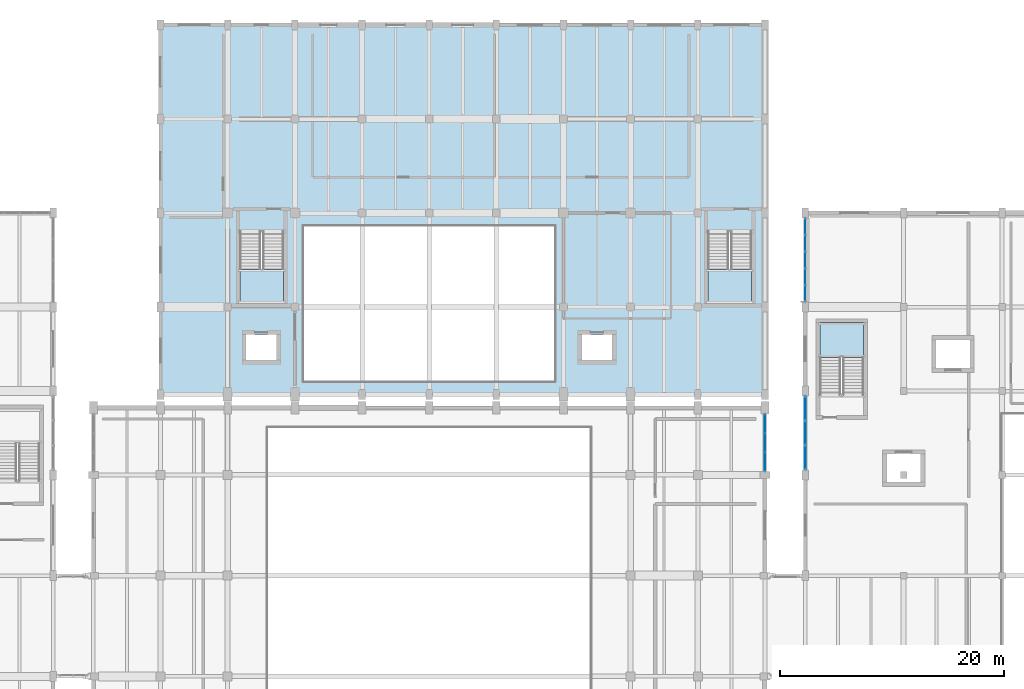
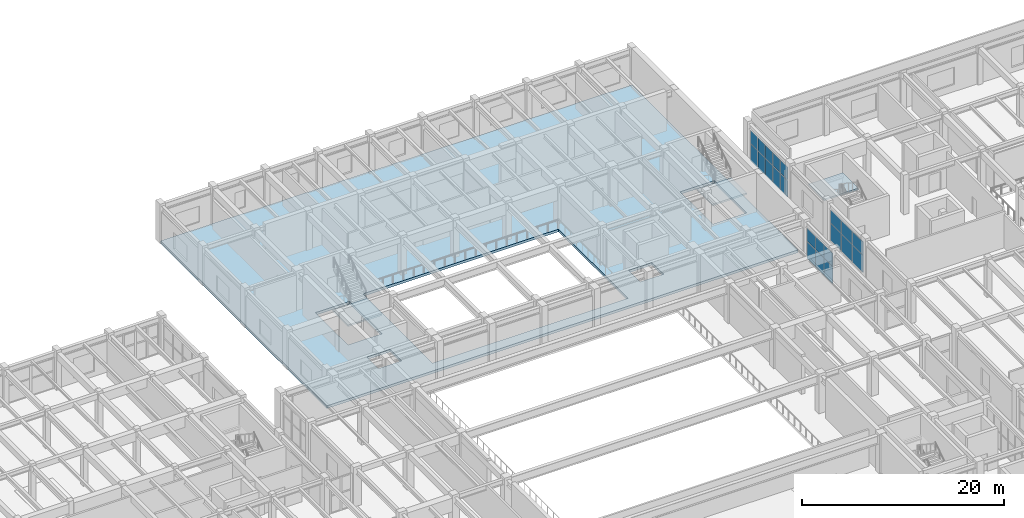
# One storey, part 65 of 96: 22 plates, 4 slabs, 6 elements without a shape of their own.
"""IFC4 building model written with IfcOpenShell, lengths in metres."""

from ifc_helpers import new_model, si_unit, direction, frame, origin, origin_2d, place, context, subcontext, project, spatial, polyline, rectangle, outline, extrude, material, layer, layer_set, type_object, element, aggregate, save


model = new_model("IFC4")

# Units and contexts
model_context = context("Model", 3, precision=1e-05, world=origin(), true_north=direction((0.0, 1.0)))
body_context = subcontext(model_context, "Body", "Model", "MODEL_VIEW")
ifc_project = project(units=[si_unit("LENGTHUNIT", "METRE"), si_unit("AREAUNIT", "SQUARE_METRE"), si_unit("VOLUMEUNIT", "CUBIC_METRE"), si_unit("PLANEANGLEUNIT", "RADIAN"), si_unit("MASSUNIT", "GRAM", prefix="KILO")], contexts=[model_context])

# Site, building, storey
site_placement = place(None, origin())
site = spatial("IfcSite", under=ifc_project, at=site_placement, CompositionType="ELEMENT")
building_placement = place(site_placement, origin())
building = spatial("IfcBuilding", under=site, at=building_placement, Name="Vaelkrest Opera House", CompositionType="ELEMENT")
storey_placement = place(building_placement, frame((0.0, 0.0, 5.39990234375)))
storey = spatial("IfcBuildingStorey", under=building, at=storey_placement, Name="L01", CompositionType="ELEMENT", Elevation=5.39990234375)

# Curtain wall, plates
ifc_material_1 = material(Name="Dark bronze anodized aluminium", Category="aluminium")
ifc_layer_1 = layer(ifc_material_1, 0.199951171875)
ifc_layer_set_1 = layer_set([ifc_layer_1], Name="Dark bronze anodized aluminium")
curtain_wall_type_1 = type_object("IfcCurtainWallType", Name="CW03", PredefinedType="NOTDEFINED", material=ifc_layer_set_1)
curtain_wall_1_placement = place(storey_placement, origin())
curtain_wall_1 = element("IfcCurtainWall", 1, at=curtain_wall_1_placement, inside=storey, type_object=curtain_wall_type_1, Name="Curtain wall CW-L01-156", PredefinedType="NOTDEFINED")
ifc_material_2 = material(Name="Double low-E insulated glazing", Category="glass")
ifc_layer_2 = layer(ifc_material_2, 0.033935546875)
ifc_layer_set_2 = layer_set([ifc_layer_2], Name="Double low-E insulated glazing")
plate_type_1 = type_object("IfcPlateType", Name="CWP03", PredefinedType="CURTAIN_PANEL", material=ifc_layer_set_2)
plate_1_placement = place(storey_placement, frame((33.60009765625, 26.417236328125, 0.074951171875), z_axis=(0.0, 0.0, 1.0), x_axis=(0.0, 1.0, 0.0)))
plate_1 = element("IfcPlate", 2, at=plate_1_placement, type_object=plate_type_1, Name="CW03 panel 1.1", PredefinedType="CURTAIN_PANEL", context=body_context, shape_type="SweptSolid", body=[
    extrude(rectangle(XDim=1.38818359375, YDim=0.033935546875, at=origin_2d()), origin(), (0.0, 0.0, 1.0), 2.03759765625),
])
plate_2_placement = place(storey_placement, frame((33.60009765625, 26.417236328125, 2.187744140625), z_axis=(0.0, 0.0, 1.0), x_axis=(0.0, 1.0, 0.0)))
plate_2 = element("IfcPlate", 3, at=plate_2_placement, type_object=plate_type_1, Name="CW03 panel 1.2", PredefinedType="CURTAIN_PANEL", context=body_context, shape_type="SweptSolid", body=[
    extrude(rectangle(XDim=1.38818359375, YDim=0.033935546875, at=origin_2d()), origin(), (0.0, 0.0, 1.0), 1.56640625),
])
plate_3_placement = place(storey_placement, frame((33.60009765625, 27.899169921875, 0.074951171875), z_axis=(0.0, 0.0, 1.0), x_axis=(0.0, 1.0, 0.0)))
plate_3 = element("IfcPlate", 4, at=plate_3_placement, type_object=plate_type_1, Name="CW03 panel 2.1", PredefinedType="CURTAIN_PANEL", context=body_context, shape_type="SweptSolid", body=[
    extrude(rectangle(XDim=1.42578125, YDim=0.033935546875, at=origin_2d()), origin(), (0.0, 0.0, 1.0), 2.03759765625),
])
plate_4_placement = place(storey_placement, frame((33.60009765625, 27.899169921875, 2.187744140625), z_axis=(0.0, 0.0, 1.0), x_axis=(0.0, 1.0, 0.0)))
plate_4 = element("IfcPlate", 5, at=plate_4_placement, type_object=plate_type_1, Name="CW03 panel 2.2", PredefinedType="CURTAIN_PANEL", context=body_context, shape_type="SweptSolid", body=[
    extrude(rectangle(XDim=1.42578125, YDim=0.033935546875, at=origin_2d()), origin(), (0.0, 0.0, 1.0), 1.56640625),
])
plate_5_placement = place(storey_placement, frame((33.60009765625, 29.39990234375, 0.074951171875), z_axis=(0.0, 0.0, 1.0), x_axis=(0.0, 1.0, 0.0)))
plate_5 = element("IfcPlate", 6, at=plate_5_placement, type_object=plate_type_1, Name="CW03 panel 3.1", PredefinedType="CURTAIN_PANEL", context=body_context, shape_type="SweptSolid", body=[
    extrude(rectangle(XDim=1.42578125, YDim=0.033935546875, at=origin_2d()), origin(), (0.0, 0.0, 1.0), 2.03759765625),
])
plate_6_placement = place(storey_placement, frame((33.60009765625, 29.39990234375, 2.187744140625), z_axis=(0.0, 0.0, 1.0), x_axis=(0.0, 1.0, 0.0)))
plate_6 = element("IfcPlate", 7, at=plate_6_placement, type_object=plate_type_1, Name="CW03 panel 3.2", PredefinedType="CURTAIN_PANEL", context=body_context, shape_type="SweptSolid", body=[
    extrude(rectangle(XDim=1.42578125, YDim=0.033935546875, at=origin_2d()), origin(), (0.0, 0.0, 1.0), 1.56640625),
])
plate_7_placement = place(storey_placement, frame((33.60009765625, 30.90087890625, 0.074951171875), z_axis=(0.0, 0.0, 1.0), x_axis=(0.0, 1.0, 0.0)))
plate_7 = element("IfcPlate", 8, at=plate_7_placement, type_object=plate_type_1, Name="CW03 panel 4.1", PredefinedType="CURTAIN_PANEL", context=body_context, shape_type="SweptSolid", body=[
    extrude(rectangle(XDim=1.42578125, YDim=0.033935546875, at=origin_2d()), origin(), (0.0, 0.0, 1.0), 2.03759765625),
])
plate_8_placement = place(storey_placement, frame((33.60009765625, 30.90087890625, 2.187744140625), z_axis=(0.0, 0.0, 1.0), x_axis=(0.0, 1.0, 0.0)))
plate_8 = element("IfcPlate", 9, at=plate_8_placement, type_object=plate_type_1, Name="CW03 panel 4.2", PredefinedType="CURTAIN_PANEL", context=body_context, shape_type="SweptSolid", body=[
    extrude(rectangle(XDim=1.42578125, YDim=0.033935546875, at=origin_2d()), origin(), (0.0, 0.0, 1.0), 1.56640625),
])
plate_9_placement = place(storey_placement, frame((33.60009765625, 32.3828125, 0.074951171875), z_axis=(0.0, 0.0, 1.0), x_axis=(0.0, 1.0, 0.0)))
plate_9 = element("IfcPlate", 10, at=plate_9_placement, type_object=plate_type_1, Name="CW03 panel 5.1", PredefinedType="CURTAIN_PANEL", context=body_context, shape_type="SweptSolid", body=[
    extrude(rectangle(XDim=1.38818359375, YDim=0.033935546875, at=origin_2d()), origin(), (0.0, 0.0, 1.0), 2.03759765625),
])
plate_10_placement = place(storey_placement, frame((33.60009765625, 32.3828125, 2.187744140625), z_axis=(0.0, 0.0, 1.0), x_axis=(0.0, 1.0, 0.0)))
plate_10 = element("IfcPlate", 11, at=plate_10_placement, type_object=plate_type_1, Name="CW03 panel 5.2", PredefinedType="CURTAIN_PANEL", context=body_context, shape_type="SweptSolid", body=[
    extrude(rectangle(XDim=1.38818359375, YDim=0.033935546875, at=origin_2d()), origin(), (0.0, 0.0, 1.0), 1.56640625),
])
aggregate(curtain_wall_1, [plate_1, plate_2, plate_3, plate_4, plate_5, plate_6, plate_7, plate_8, plate_9, plate_10])

ifc_layer_3 = layer(ifc_material_1, 0.219970703125)
ifc_layer_set_3 = layer_set([ifc_layer_3], Name="Dark bronze anodized aluminium")
curtain_wall_type_2 = type_object("IfcCurtainWallType", Name="CW05", PredefinedType="NOTDEFINED", material=ifc_layer_set_3)
curtain_wall_2_placement = place(storey_placement, origin())
curtain_wall_2 = element("IfcCurtainWall", 12, at=curtain_wall_2_placement, inside=storey, type_object=curtain_wall_type_2, Name="Curtain wall CW-L01-028", PredefinedType="NOTDEFINED")
ifc_layer_4 = layer(ifc_material_2, 0.0419921875)
ifc_layer_set_4 = layer_set([ifc_layer_4], Name="Double low-E insulated glazing")
plate_type_2 = type_object("IfcPlateType", Name="CWP05", PredefinedType="CURTAIN_PANEL", material=ifc_layer_set_4)
plate_11_placement = place(storey_placement, frame((30.0, 14.77685546875, 0.074951171875), z_axis=(0.0, 0.0, 1.0), x_axis=(0.0, -1.0, 0.0)))
plate_11 = element("IfcPlate", 13, at=plate_11_placement, type_object=plate_type_2, Name="CW05 panel 1.1", PredefinedType="CURTAIN_PANEL", context=body_context, shape_type="SweptSolid", body=[
    extrude(rectangle(XDim=1.62060546875, YDim=0.0419921875, at=origin_2d()), origin(), (0.0, 0.0, 1.0), 2.03759765625),
])
plate_12_placement = place(storey_placement, frame((30.0, 14.77685546875, 2.1875), z_axis=(0.0, 0.0, 1.0), x_axis=(0.0, -1.0, 0.0)))
plate_12 = element("IfcPlate", 14, at=plate_12_placement, type_object=plate_type_2, Name="CW05 panel 1.2", PredefinedType="CURTAIN_PANEL", context=body_context, shape_type="SweptSolid", body=[
    extrude(rectangle(XDim=1.62060546875, YDim=0.0419921875, at=origin_2d()), origin(), (0.0, 0.0, 1.0), 1.5615234375),
])
plate_13_placement = place(storey_placement, frame((30.0, 13.074951171875, 0.074951171875), z_axis=(0.0, 0.0, 1.0), x_axis=(0.0, -1.0, 0.0)))
plate_13 = element("IfcPlate", 15, at=plate_13_placement, type_object=plate_type_2, Name="CW05 panel 2.1", PredefinedType="CURTAIN_PANEL", context=body_context, shape_type="SweptSolid", body=[
    extrude(rectangle(XDim=1.653076171875, YDim=0.0419921875, at=origin_2d()), origin(), (0.0, 0.0, 1.0), 2.03759765625),
])
plate_14_placement = place(storey_placement, frame((30.0, 13.074951171875, 2.1875), z_axis=(0.0, 0.0, 1.0), x_axis=(0.0, -1.0, 0.0)))
plate_14 = element("IfcPlate", 16, at=plate_14_placement, type_object=plate_type_2, Name="CW05 panel 2.2", PredefinedType="CURTAIN_PANEL", context=body_context, shape_type="SweptSolid", body=[
    extrude(rectangle(XDim=1.653076171875, YDim=0.0419921875, at=origin_2d()), origin(), (0.0, 0.0, 1.0), 1.5615234375),
])
plate_15_placement = place(storey_placement, frame((30.0, 11.373291015625, 0.074951171875), z_axis=(0.0, 0.0, 1.0), x_axis=(0.0, -1.0, 0.0)))
plate_15 = element("IfcPlate", 17, at=plate_15_placement, type_object=plate_type_2, Name="CW05 panel 3.1", PredefinedType="CURTAIN_PANEL", context=body_context, shape_type="SweptSolid", body=[
    extrude(rectangle(XDim=1.62060546875, YDim=0.0419921875, at=origin_2d()), origin(), (0.0, 0.0, 1.0), 2.03759765625),
])
plate_16_placement = place(storey_placement, frame((30.0, 11.373291015625, 2.1875), z_axis=(0.0, 0.0, 1.0), x_axis=(0.0, -1.0, 0.0)))
plate_16 = element("IfcPlate", 18, at=plate_16_placement, type_object=plate_type_2, Name="CW05 panel 3.2", PredefinedType="CURTAIN_PANEL", context=body_context, shape_type="SweptSolid", body=[
    extrude(rectangle(XDim=1.62060546875, YDim=0.0419921875, at=origin_2d()), origin(), (0.0, 0.0, 1.0), 1.5615234375),
])
aggregate(curtain_wall_2, [plate_11, plate_12, plate_13, plate_14, plate_15, plate_16])

ifc_layer_5 = layer(ifc_material_1, 0.25)
ifc_layer_set_5 = layer_set([ifc_layer_5], Name="Dark bronze anodized aluminium")
curtain_wall_type_3 = type_object("IfcCurtainWallType", Name="CW08", PredefinedType="NOTDEFINED", material=ifc_layer_set_5)
curtain_wall_3_placement = place(storey_placement, origin())
curtain_wall_3 = element("IfcCurtainWall", 19, at=curtain_wall_3_placement, inside=storey, type_object=curtain_wall_type_3, Name="Curtain wall CW-L01-155", PredefinedType="NOTDEFINED")
ifc_material_3 = material(Name="Dark bronze anodized aluminium spandrel", Category="aluminium")
ifc_layer_6 = layer(ifc_material_3, 0.05810546875)
ifc_layer_set_6 = layer_set([ifc_layer_6], Name="Dark bronze anodized aluminium spandrel")
plate_type_3 = type_object("IfcPlateType", Name="CWP08", PredefinedType="CURTAIN_PANEL", material=ifc_layer_set_6)
plate_17_placement = place(storey_placement, frame((33.60009765625, 11.7685546875, 0.070068359375), z_axis=(0.0, 0.0, 1.0), x_axis=(0.0, 1.0, 0.0)))
plate_17 = element("IfcPlate", 20, at=plate_17_placement, type_object=plate_type_3, Name="CW08 panel 1.1", PredefinedType="CURTAIN_PANEL", context=body_context, shape_type="SweptSolid", body=[
    extrude(rectangle(XDim=2.081298828125, YDim=0.05810546875, at=origin_2d()), origin(), (0.0, 0.0, 1.0), 2.044921875),
])
plate_18_placement = place(storey_placement, frame((33.60009765625, 11.7685546875, 2.18505859375), z_axis=(0.0, 0.0, 1.0), x_axis=(0.0, 1.0, 0.0)))
plate_18 = element("IfcPlate", 21, at=plate_18_placement, type_object=plate_type_3, Name="CW08 panel 1.2", PredefinedType="CURTAIN_PANEL", context=body_context, shape_type="SweptSolid", body=[
    extrude(rectangle(XDim=2.081298828125, YDim=0.05810546875, at=origin_2d()), origin(), (0.0, 0.0, 1.0), 1.569091796875),
])
plate_19_placement = place(storey_placement, frame((33.60009765625, 13.949951171875, 0.070068359375), z_axis=(0.0, 0.0, 1.0), x_axis=(0.0, 1.0, 0.0)))
plate_19 = element("IfcPlate", 22, at=plate_19_placement, type_object=plate_type_3, Name="CW08 panel 2.1", PredefinedType="CURTAIN_PANEL", context=body_context, shape_type="SweptSolid", body=[
    extrude(rectangle(XDim=2.121337890625, YDim=0.05810546875, at=origin_2d()), origin(), (0.0, 0.0, 1.0), 2.044921875),
])
plate_20_placement = place(storey_placement, frame((33.60009765625, 13.949951171875, 2.18505859375), z_axis=(0.0, 0.0, 1.0), x_axis=(0.0, 1.0, 0.0)))
plate_20 = element("IfcPlate", 23, at=plate_20_placement, type_object=plate_type_3, Name="CW08 panel 2.2", PredefinedType="CURTAIN_PANEL", context=body_context, shape_type="SweptSolid", body=[
    extrude(rectangle(XDim=2.121337890625, YDim=0.05810546875, at=origin_2d()), origin(), (0.0, 0.0, 1.0), 1.569091796875),
])
plate_21_placement = place(storey_placement, frame((33.60009765625, 16.13134765625, 0.070068359375), z_axis=(0.0, 0.0, 1.0), x_axis=(0.0, 1.0, 0.0)))
plate_21 = element("IfcPlate", 24, at=plate_21_placement, type_object=plate_type_3, Name="CW08 panel 3.1", PredefinedType="CURTAIN_PANEL", context=body_context, shape_type="SweptSolid", body=[
    extrude(rectangle(XDim=2.081298828125, YDim=0.05810546875, at=origin_2d()), origin(), (0.0, 0.0, 1.0), 2.044921875),
])
plate_22_placement = place(storey_placement, frame((33.60009765625, 16.13134765625, 2.18505859375), z_axis=(0.0, 0.0, 1.0), x_axis=(0.0, 1.0, 0.0)))
plate_22 = element("IfcPlate", 25, at=plate_22_placement, type_object=plate_type_3, Name="CW08 panel 3.2", PredefinedType="CURTAIN_PANEL", context=body_context, shape_type="SweptSolid", body=[
    extrude(rectangle(XDim=2.081298828125, YDim=0.05810546875, at=origin_2d()), origin(), (0.0, 0.0, 1.0), 1.569091796875),
])
aggregate(curtain_wall_3, [plate_17, plate_18, plate_19, plate_20, plate_21, plate_22])

# Slab
ifc_material_4 = material(Name="Concrete C40/50", Category="concrete")
ifc_layer_7 = layer(ifc_material_4, 0.304931640625)
ifc_layer_set_7 = layer_set([ifc_layer_7], Name="Concrete C40/50")
slab_type_1 = type_object("IfcSlabType", Name="FS04", PredefinedType="FLOOR", material=ifc_layer_set_7)
slab_1_placement = place(storey_placement, frame((0.0, 0.0, -0.304931640625)))
element("IfcSlab", 26, at=slab_1_placement, inside=storey, type_object=slab_type_1, Name="Floor slab SLB-V2-L01-011", PredefinedType="FLOOR", context=body_context, shape_type="SweptSolid", body=[
    extrude(outline(polyline([(-24.0, 17.39990234375), (30.0, 17.39990234375), (30.0, 50.39990234375), (-24.0, 50.39990234375), (-24.0, 17.39990234375)]), holes=[polyline([(-11.199951171875, 18.60009765625), (11.199951171875, 18.60009765625), (11.199951171875, 32.39990234375), (-11.199951171875, 32.39990234375), (-11.199951171875, 18.60009765625)]), polyline([(-16.89990234375, 31.949951171875), (-16.89990234375, 25.5), (-13.0, 25.5), (-13.0, 31.949951171875), (-16.89990234375, 31.949951171875)]), polyline([(24.89990234375, 31.949951171875), (24.89990234375, 25.5), (28.800048828125, 25.5), (28.800048828125, 31.949951171875), (24.89990234375, 31.949951171875)]), polyline([(-16.35009765625, 20.449951171875), (-13.64990234375, 20.449951171875), (-13.64990234375, 22.75), (-16.35009765625, 22.75), (-16.35009765625, 20.449951171875)]), polyline([(13.64990234375, 20.449951171875), (16.35009765625, 20.449951171875), (16.35009765625, 22.75), (13.64990234375, 22.75), (13.64990234375, 20.449951171875)])]), origin(), (0.0, 0.0, 1.0), 0.304931640625),
])

# Stair, slab
stair_type_1 = type_object("IfcStairType", Name="ST05", PredefinedType="TWO_STRAIGHT_RUN_STAIR", material=ifc_material_4)
stair_1_placement = place(storey_placement, origin())
stair_1 = element("IfcStair", 27, at=stair_1_placement, inside=storey, type_object=stair_type_1, Name="L01 Protected exit stair ST05", PredefinedType="TWO_STRAIGHT_RUN_STAIR")
ifc_layer_8 = layer(ifc_material_4, 0.199951171875)
ifc_layer_set_8 = layer_set([ifc_layer_8], Name="Concrete C40/50")
slab_type_2 = type_object("IfcSlabType", Name="SLD01", PredefinedType="LANDING", material=ifc_layer_set_8)
slab_2_placement = place(storey_placement, frame((0.0, 0.0, 2.2001953125)))
slab_2 = element("IfcSlab", 28, at=slab_2_placement, type_object=slab_type_2, Name="ST05 landing 1", PredefinedType="LANDING", context=body_context, shape_type="SweptSolid", body=[
    extrude(outline(polyline([(-16.89990234375, 28.590087890625), (-16.89990234375, 25.5), (-13.0, 25.5), (-13.0, 28.590087890625), (-16.89990234375, 28.590087890625)])), origin(), (0.0, 0.0, 1.0), 0.199951171875),
])
aggregate(stair_1, [slab_2])

stair_type_2 = type_object("IfcStairType", Name="ST06", PredefinedType="TWO_STRAIGHT_RUN_STAIR", material=ifc_material_4)
stair_2_placement = place(storey_placement, origin())
stair_2 = element("IfcStair", 29, at=stair_2_placement, inside=storey, type_object=stair_type_2, Name="L01 Protected exit stair ST06", PredefinedType="TWO_STRAIGHT_RUN_STAIR")
slab_3_placement = place(storey_placement, frame((0.0, 0.0, 2.2001953125)))
slab_3 = element("IfcSlab", 30, at=slab_3_placement, type_object=slab_type_2, Name="ST06 landing 1", PredefinedType="LANDING", context=body_context, shape_type="SweptSolid", body=[
    extrude(outline(polyline([(24.89990234375, 28.590087890625), (24.89990234375, 25.5), (28.800048828125, 25.5), (28.800048828125, 28.590087890625), (24.89990234375, 28.590087890625)])), origin(), (0.0, 0.0, 1.0), 0.199951171875),
])
aggregate(stair_2, [slab_3])

stair_type_3 = type_object("IfcStairType", Name="ST09", PredefinedType="TWO_STRAIGHT_RUN_STAIR", material=ifc_material_4)
stair_3_placement = place(storey_placement, origin())
stair_3 = element("IfcStair", 31, at=stair_3_placement, inside=storey, type_object=stair_type_3, Name="L01 Protected exit stair ST09", PredefinedType="TWO_STRAIGHT_RUN_STAIR")
slab_4_placement = place(storey_placement, frame((0.0, 0.0, 2.2001953125)))
slab_4 = element("IfcSlab", 32, at=slab_4_placement, type_object=slab_type_2, Name="ST09 landing 1", PredefinedType="LANDING", context=body_context, shape_type="SweptSolid", body=[
    extrude(outline(polyline([(38.800048828125, 20.7099609375), (38.800048828125, 23.800048828125), (34.89990234375, 23.800048828125), (34.89990234375, 20.7099609375), (38.800048828125, 20.7099609375)])), origin(), (0.0, 0.0, 1.0), 0.199951171875),
])
aggregate(stair_3, [slab_4])

save(model, "model.ifc")
